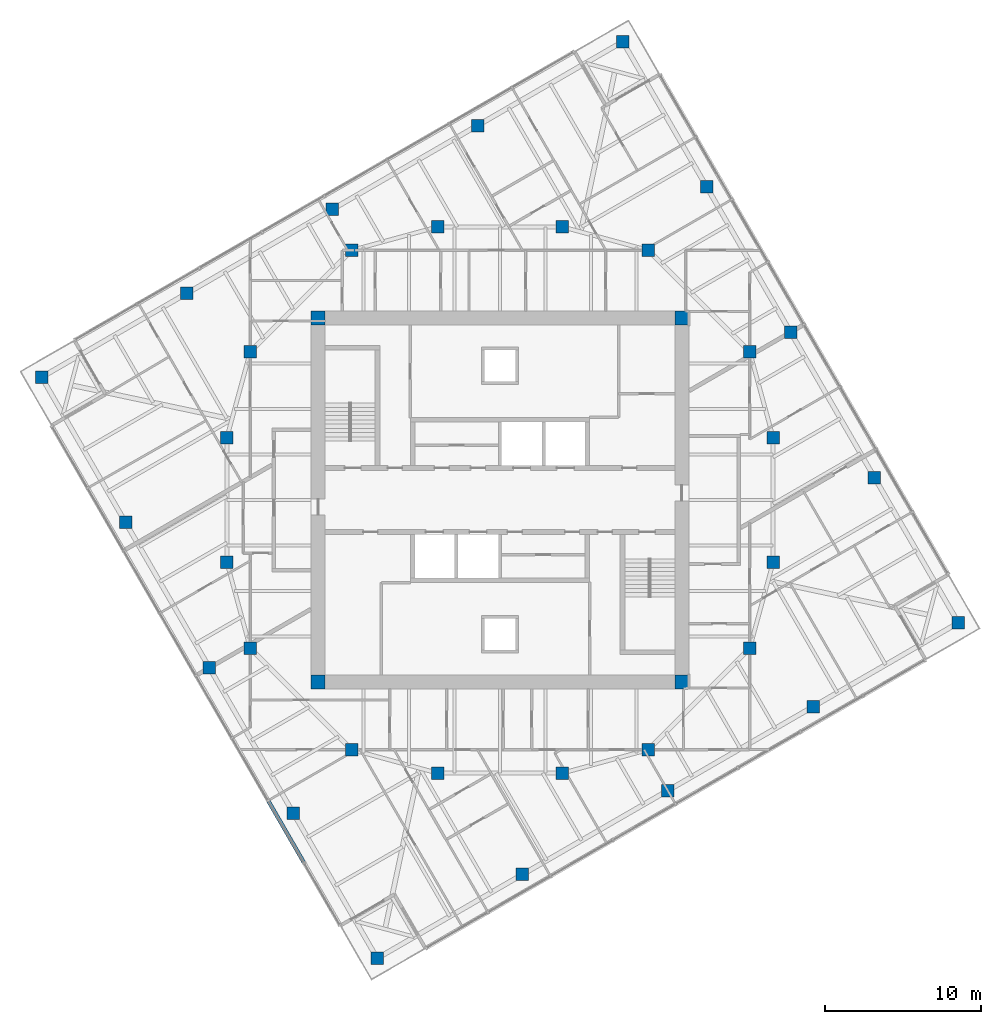
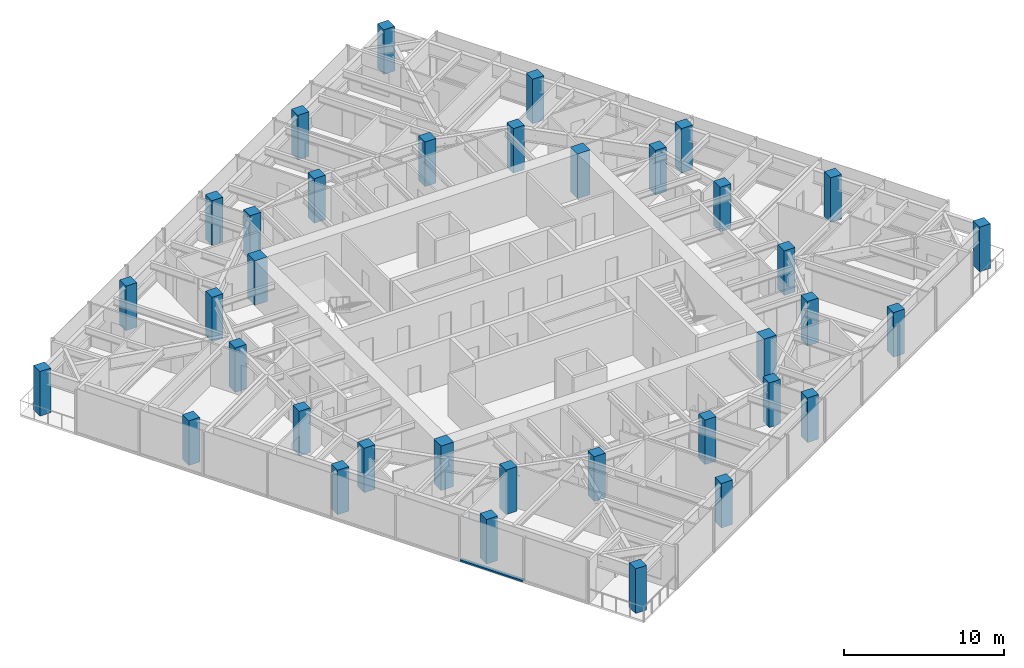
# One storey, part 1 of 13: 36 columns, 1 member, 1 element without a shape of its own.
"""IFC4 building model written with IfcOpenShell, lengths in metres."""

from ifc_helpers import new_model, si_unit, direction, frame, origin, origin_2d, place, context, subcontext, project, spatial, rectangle, extrude, material, material_profile, profile_set, type_object, element, aggregate, save


model = new_model("IFC4")

# Units and contexts
model_context = context("Model", 3, precision=1e-05, world=origin(), true_north=direction((0.0, 1.0)))
body_context = subcontext(model_context, "Body", "Model", "MODEL_VIEW")
ifc_project = project(units=[si_unit("LENGTHUNIT", "METRE"), si_unit("AREAUNIT", "SQUARE_METRE"), si_unit("VOLUMEUNIT", "CUBIC_METRE"), si_unit("PLANEANGLEUNIT", "RADIAN"), si_unit("MASSUNIT", "GRAM", prefix="KILO")], contexts=[model_context])

# Site, building, storey
site_placement = place(None, origin())
site = spatial("IfcSite", under=ifc_project, at=site_placement, CompositionType="ELEMENT")
building_placement = place(site_placement, origin())
building = spatial("IfcBuilding", under=site, at=building_placement, Name="Torsade Residences", CompositionType="ELEMENT")
storey_placement = place(building_placement, frame((0.0, 0.0, 225.199951171875)))
storey = spatial("IfcBuildingStorey", under=building, at=storey_placement, Name="L62", CompositionType="ELEMENT", Elevation=225.199951171875)

# Columns
ifc_material_1 = material(Name="Concrete 80 MPa", Category="concrete")
ifc_material_profile_1 = material_profile(ifc_material_1, rectangle(XDim=0.89990234375, YDim=0.89990234375, at=origin_2d()), Name="RC 900x900")
ifc_profile_set_1 = profile_set([ifc_material_profile_1], Name="Concrete 80 MPa")
column_type_1 = type_object("IfcColumnType", Name="CORE CORNER COLUMN RC 900x900", PredefinedType="COLUMN", material=ifc_profile_set_1)
for number, where, z_axis, x_axis, name in (
    (1, (28.35009765625, 18.35009765625, 0.0), (0.0, 0.0, 1.0), (1.0, 0.0, 0.0), "Core corner column CC1 L62"),
    (2, (51.64990234375, 18.35009765625, 0.0), (0.0, 0.0, 1.0), (1.0, 0.0, 0.0), "Core corner column CC2 L62"),
    (3, (51.64990234375, 41.64990234375, 0.0), (0.0, 0.0, 1.0), (1.0, 0.0, 0.0), "Core corner column CC3 L62"),
    (4, (28.35009765625, 41.64990234375, 0.0), (0.0, 0.0, 1.0), (1.0, 0.0, 0.0), "Core corner column CC4 L62"),
):
    element("IfcColumn", number, at=place(storey_placement, frame(where, z_axis=z_axis, x_axis=x_axis)), inside=storey, type_object=column_type_1, Name=name, PredefinedType="COLUMN", context=body_context, shape_type="SweptSolid", body=[
        extrude(rectangle(XDim=0.89990234375, YDim=0.89990234375, at=origin_2d()), origin(), (0.0, 0.0, 1.0), 3.400146484375),
    ])
ifc_material_2 = material(Name="Concrete 80 MPa", Category="concrete")
ifc_material_profile_2 = material_profile(ifc_material_2, rectangle(XDim=0.800048828125, YDim=0.800048828125, at=origin_2d()), Name="RC 800x800")
ifc_profile_set_2 = profile_set([ifc_material_profile_2], Name="Concrete 80 MPa")
column_type_2 = type_object("IfcColumnType", Name="INNER RING COLUMN RC 800x800", PredefinedType="COLUMN", material=ifc_profile_set_2)
for number, where, z_axis, x_axis, name in (
    (5, (57.5, 26.0, 0.0), (0.0, 0.0, 1.0), (1.0, 0.0, 0.0), "Inner ring column IR01 L62"),
    (6, (57.5, 34.0, 0.0), (0.0, 0.0, 1.0), (1.0, 0.0, 0.0), "Inner ring column IR02 L62"),
    (7, (56.0, 39.5, 0.0), (0.0, 0.0, 1.0), (1.0, 0.0, 0.0), "Inner ring column IR03 L62"),
    (8, (49.5, 46.0, 0.0), (0.0, 0.0, 1.0), (1.0, 0.0, 0.0), "Inner ring column IR04 L62"),
    (9, (44.0, 47.5, 0.0), (0.0, 0.0, 1.0), (1.0, 0.0, 0.0), "Inner ring column IR05 L62"),
    (10, (36.0, 47.5, 0.0), (0.0, 0.0, 1.0), (1.0, 0.0, 0.0), "Inner ring column IR06 L62"),
    (11, (30.5, 46.0, 0.0), (0.0, 0.0, 1.0), (1.0, 0.0, 0.0), "Inner ring column IR07 L62"),
    (12, (24.0, 39.5, 0.0), (0.0, 0.0, 1.0), (1.0, 0.0, 0.0), "Inner ring column IR08 L62"),
    (13, (22.5, 34.0, 0.0), (0.0, 0.0, 1.0), (1.0, 0.0, 0.0), "Inner ring column IR09 L62"),
    (14, (22.5, 26.0, 0.0), (0.0, 0.0, 1.0), (1.0, 0.0, 0.0), "Inner ring column IR10 L62"),
    (15, (24.0, 20.5, 0.0), (0.0, 0.0, 1.0), (1.0, 0.0, 0.0), "Inner ring column IR11 L62"),
    (16, (30.5, 14.0, 0.0), (0.0, 0.0, 1.0), (1.0, 0.0, 0.0), "Inner ring column IR12 L62"),
    (17, (36.0, 12.5, 0.0), (0.0, 0.0, 1.0), (1.0, 0.0, 0.0), "Inner ring column IR13 L62"),
    (18, (44.0, 12.5, 0.0), (0.0, 0.0, 1.0), (1.0, 0.0, 0.0), "Inner ring column IR14 L62"),
    (19, (49.5, 14.0, 0.0), (0.0, 0.0, 1.0), (1.0, 0.0, 0.0), "Inner ring column IR15 L62"),
    (20, (56.0, 20.5, 0.0), (0.0, 0.0, 1.0), (1.0, 0.0, 0.0), "Inner ring column IR16 L62"),
):
    element("IfcColumn", number, at=place(storey_placement, frame(where, z_axis=z_axis, x_axis=x_axis)), inside=storey, type_object=column_type_2, Name=name, PredefinedType="COLUMN", context=body_context, shape_type="SweptSolid", body=[
        extrude(rectangle(XDim=0.800048828125, YDim=0.800048828125, at=origin_2d()), origin(), (0.0, 0.0, 1.0), 3.400146484375),
    ])
ifc_material_3 = material(Name="Concrete 80 MPa", Category="concrete")
ifc_material_profile_3 = material_profile(ifc_material_3, rectangle(XDim=0.800048828125, YDim=0.800048828125, at=origin_2d()), Name="RC 800x800")
ifc_profile_set_3 = profile_set([ifc_material_profile_3], Name="Concrete 80 MPa")
column_type_3 = type_object("IfcColumnType", Name="TOWER COLUMN RC 800x800", PredefinedType="COLUMN", material=ifc_profile_set_3)
for number, where, z_axis, x_axis, name in (
    (21, (32.13037109375, 0.63037109375, 0.0), (0.0, 0.0, 1.0), (1.0, 0.0, 0.0), "Column TC7-01 L62"),
    (22, (41.440185546875, 6.00537109375, 0.0), (0.0, 0.0, 1.0), (1.0, 0.0, 0.0), "Column TC7-02 L62"),
    (23, (50.75, 11.38037109375, 0.0), (0.0, 0.0, 1.0), (1.0, 0.0, 0.0), "Column TC7-03 L62"),
    (24, (60.059814453125, 16.75537109375, 0.0), (0.0, 0.0, 1.0), (1.0, 0.0, 0.0), "Column TC7-04 L62"),
    (25, (69.36962890625, 22.13037109375, 0.0), (0.0, 0.0, 1.0), (1.0, 0.0, 0.0), "Column TC7-05 L62"),
    (26, (63.99462890625, 31.440185546875, 0.0), (0.0, 0.0, 1.0), (1.0, 0.0, 0.0), "Column TC7-06 L62"),
    (27, (58.61962890625, 40.75, 0.0), (0.0, 0.0, 1.0), (1.0, 0.0, 0.0), "Column TC7-07 L62"),
    (28, (53.24462890625, 50.059814453125, 0.0), (0.0, 0.0, 1.0), (1.0, 0.0, 0.0), "Column TC7-08 L62"),
    (29, (47.86962890625, 59.36962890625, 0.0), (0.0, 0.0, 1.0), (1.0, 0.0, 0.0), "Column TC7-09 L62"),
    (30, (38.559814453125, 53.99462890625, 0.0), (0.0, 0.0, 1.0), (1.0, 0.0, 0.0), "Column TC7-10 L62"),
    (31, (29.25, 48.61962890625, 0.0), (0.0, 0.0, 1.0), (1.0, 0.0, 0.0), "Column TC7-11 L62"),
    (32, (19.940185546875, 43.24462890625, 0.0), (0.0, 0.0, 1.0), (1.0, 0.0, 0.0), "Column TC7-12 L62"),
    (33, (10.63037109375, 37.86962890625, 0.0), (0.0, 0.0, 1.0), (1.0, 0.0, 0.0), "Column TC7-13 L62"),
    (34, (16.00537109375, 28.559814453125, 0.0), (0.0, 0.0, 1.0), (1.0, 0.0, 0.0), "Column TC7-14 L62"),
    (35, (21.38037109375, 19.25, 0.0), (0.0, 0.0, 1.0), (1.0, 0.0, 0.0), "Column TC7-15 L62"),
    (36, (26.75537109375, 9.940185546875, 0.0), (0.0, 0.0, 1.0), (1.0, 0.0, 0.0), "Column TC7-16 L62"),
):
    element("IfcColumn", number, at=place(storey_placement, frame(where, z_axis=z_axis, x_axis=x_axis)), inside=storey, type_object=column_type_3, Name=name, PredefinedType="COLUMN", context=body_context, shape_type="SweptSolid", body=[
        extrude(rectangle(XDim=0.800048828125, YDim=0.800048828125, at=origin_2d()), origin(), (0.0, 0.0, 1.0), 3.400146484375),
    ])

# Curtain wall, member
ifc_material_4 = material(Name="Aluminium and glass", Category="aluminium")
curtain_wall_type = type_object("IfcCurtainWallType", Name="FRITTED GLASS CURTAIN WALL HIGH ZONE", PredefinedType="NOTDEFINED", material=ifc_material_4)
curtain_wall_placement = place(storey_placement, origin())
curtain_wall = element("IfcCurtainWall", 37, at=curtain_wall_placement, inside=storey, type_object=curtain_wall_type, Name="Curtain wall L62 face 10", PredefinedType="NOTDEFINED")
ifc_material_5 = material(Name="Aluminium transom", Category="aluminium")
ifc_material_profile_4 = material_profile(ifc_material_5, rectangle(XDim=0.25, YDim=0.1201171875, at=origin_2d()), Name="HIGH ZONE CURTAIN WALL TRANSOM 250x120")
ifc_profile_set_4 = profile_set([ifc_material_profile_4], Name="Aluminium transom")
member_type = type_object("IfcMemberType", Name="HIGH ZONE CURTAIN WALL TRANSOM 250x120", PredefinedType="USERDEFINED", material=ifc_profile_set_4)
member_placement = place(storey_placement, frame((25.164306640625, 10.696044921875, 0.06005859375), z_axis=(0.500015112013, -0.866016678684, 0.0), x_axis=(0.866016678684, 0.500015112013, 0.0)))
member = element("IfcMember", 38, at=member_placement, type_object=member_type, Name="Transom 7.1", ObjectType="TRANSOM", PredefinedType="USERDEFINED", context=body_context, shape_type="SweptSolid", body=[
    extrude(rectangle(XDim=0.25, YDim=0.1201171875, at=origin_2d()), origin(), (0.0, 0.0, 1.0), 4.525146484375),
])
aggregate(curtain_wall, [member])

save(model, "model.ifc")
